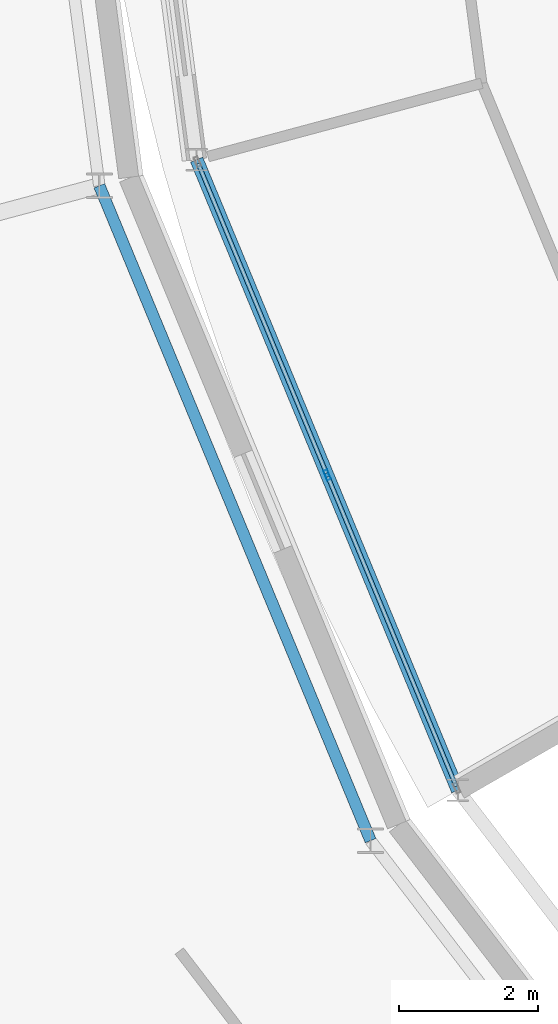
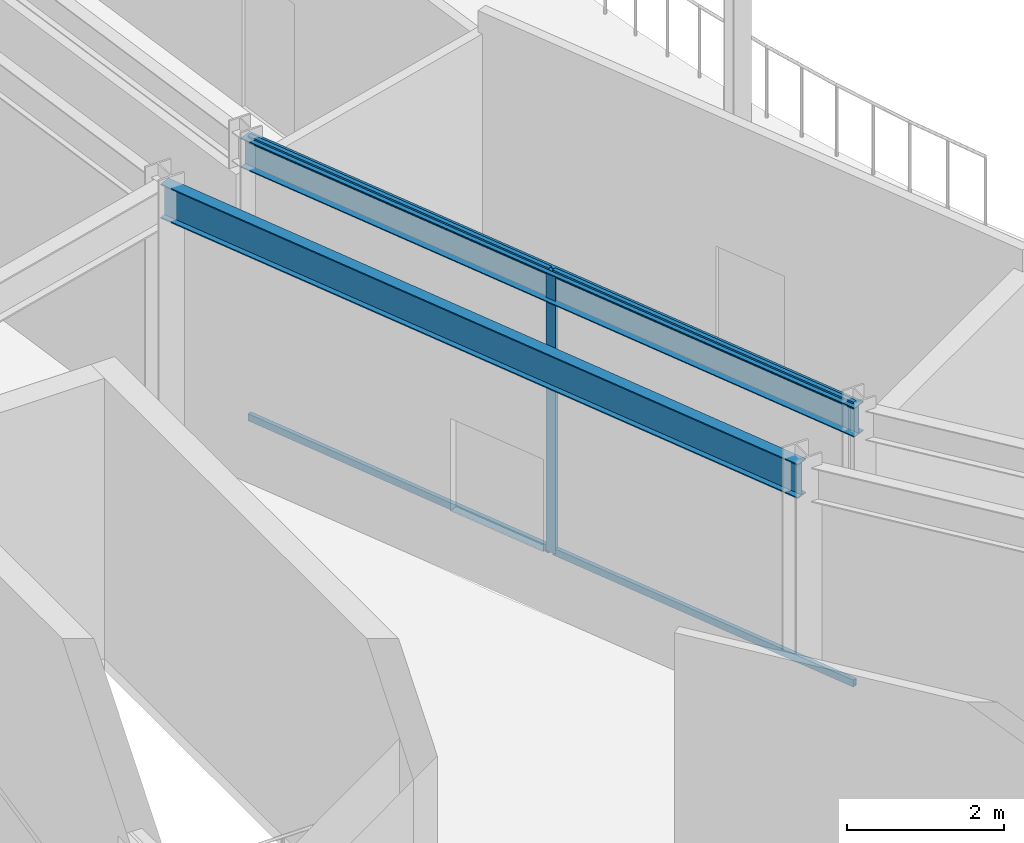
# One storey, part 34 of 157: 5 members, 2 beams, 1 element without a shape of its own.
"""IFC4 building model written with IfcOpenShell, lengths in metres."""

from ifc_helpers import new_model, si_unit, direction, frame, origin, origin_2d, place, context, subcontext, project, spatial, hollow_rectangle, i_section, extrude, material, material_profile, profile_set, type_object, element, aggregate, save


model = new_model("IFC4")

# Units and contexts
model_context = context("Model", 3, precision=1e-05, world=origin(), true_north=direction((0.0, 1.0)))
body_context = subcontext(model_context, "Body", "Model", "MODEL_VIEW")
ifc_project = project(units=[si_unit("LENGTHUNIT", "METRE"), si_unit("AREAUNIT", "SQUARE_METRE"), si_unit("VOLUMEUNIT", "CUBIC_METRE"), si_unit("PLANEANGLEUNIT", "RADIAN"), si_unit("MASSUNIT", "GRAM", prefix="KILO")], contexts=[model_context])

# Site, building, storey
site_placement = place(None, origin())
site = spatial("IfcSite", under=ifc_project, at=site_placement, CompositionType="ELEMENT")
building_placement = place(site_placement, origin())
building = spatial("IfcBuilding", under=site, at=building_placement, Name="Almandine Court Research Institute", CompositionType="ELEMENT")
storey_placement = place(building_placement, frame((0.0, 0.0, 5.25)))
storey = spatial("IfcBuildingStorey", under=building, at=storey_placement, Name="L01", CompositionType="ELEMENT", Elevation=5.25)

# Beams
ifc_material_1 = material(Name="Steel ASTM A992 Grade 50", Category="steel")
ifc_material_profile_1 = material_profile(ifc_material_1, i_section(OverallWidth=0.18994140625, OverallDepth=0.45703125, WebThickness=0.009033203125, FlangeThickness=0.014892578125, at=origin_2d()), Name="W460x74")
ifc_profile_set_1 = profile_set([ifc_material_profile_1], Name="Steel ASTM A992 Grade 50")
beam_type_1 = type_object("IfcBeamType", Name="Beam-B-01", PredefinedType="BEAM", material=ifc_profile_set_1)
beam_1_placement = place(storey_placement, frame((50.633056640625, 46.2548828125, 4.14111328125), z_axis=(0.382683080424, -0.92387967829, 0.0), x_axis=(0.92387967829, 0.382683080424, 0.0)))
element("IfcBeam", 1, at=beam_1_placement, inside=storey, type_object=beam_type_1, Name="L01 Atrium Outer Ring Beam", PredefinedType="BEAM", context=body_context, shape_type="SweptSolid", body=[
    extrude(i_section(OverallWidth=0.18994140625, OverallDepth=0.45703125, WebThickness=0.009033203125, FlangeThickness=0.014892578125, at=origin_2d()), origin(), (0.0, 0.0, 1.0), 9.827880859375),
])
ifc_material_profile_2 = material_profile(ifc_material_1, i_section(OverallWidth=0.166015625, OverallDepth=0.534912109375, WebThickness=0.010009765625, FlangeThickness=0.01708984375, at=origin_2d()), Name="W530x85")
ifc_profile_set_2 = profile_set([ifc_material_profile_2], Name="Steel ASTM A992 Grade 50")
beam_type_2 = type_object("IfcBeamType", Name="Beam-G-05-E", PredefinedType="SPANDREL", material=ifc_profile_set_2)
beam_2_placement = place(storey_placement, frame((49.23193359375, 45.8798828125, 4.10205078125), z_axis=(0.382683455912, -0.923879522758, 0.0), x_axis=(0.923879522758, 0.382683455912, 0.0)))
element("IfcBeam", 2, at=beam_2_placement, inside=storey, type_object=beam_type_2, Name="L01 Drum IN Ring Beam 13", PredefinedType="SPANDREL", context=body_context, shape_type="SweptSolid", body=[
    extrude(i_section(OverallWidth=0.166015625, OverallDepth=0.534912109375, WebThickness=0.010009765625, FlangeThickness=0.01708984375, at=origin_2d()), origin(), (0.0, 0.0, 1.0), 10.206787109375),
])

# Curtain wall, members
ifc_material_2 = material(Name="Unitised Curtain Wall Framing and Solar Glazing", Category="glass")
curtain_wall_type = type_object("IfcCurtainWallType", Name="CW-CWG-24", PredefinedType="USERDEFINED", material=ifc_material_2)
curtain_wall_placement = place(storey_placement, origin())
curtain_wall = element("IfcCurtainWall", 3, at=curtain_wall_placement, inside=storey, type_object=curtain_wall_type, Name="L01 Interaction Atrium Perimeter Curtain Wall 13", ObjectType="UNITISED GLAZING", PredefinedType="USERDEFINED")
ifc_material_3 = material(Name="Anodised Aluminium AW-6063-T6", Category="aluminium")
ifc_material_profile_3 = material_profile(ifc_material_3, hollow_rectangle(XDim=0.06005859375, YDim=0.14990234375, WallThickness=0.00390625, at=origin_2d()), Name="ALU RHS 60x150x4")
ifc_profile_set_3 = profile_set([ifc_material_profile_3], Name="Anodised Aluminium AW-6063-T6")
member_type_1 = type_object("IfcMemberType", Name="CWMul-60x150", PredefinedType="MULLION", material=ifc_profile_set_3)
member_1_placement = place(storey_placement, frame((52.512939453125, 41.715087890625, 0.0), z_axis=(0.0, 0.0, 1.0), x_axis=(-0.923900189297, -0.382633558665, 0.0)))
member_1 = element("IfcMember", 4, at=member_1_placement, type_object=member_type_1, Name="CWG-24 mullion 2", PredefinedType="MULLION", context=body_context, shape_type="SweptSolid", body=[
    extrude(hollow_rectangle(XDim=0.06005859375, YDim=0.14990234375, WallThickness=0.00390625, at=origin_2d()), origin(), (0.0, 0.0, 1.0), 4.3701171875),
])
ifc_material_profile_4 = material_profile(ifc_material_3, hollow_rectangle(XDim=0.06005859375, YDim=0.110107421875, WallThickness=0.00390625, at=origin_2d()), Name="ALU RHS 60x110x4")
ifc_profile_set_4 = profile_set([ifc_material_profile_4], Name="Anodised Aluminium AW-6063-T6")
member_type_2 = type_object("IfcMemberType", Name="CWTrn-60x110", PredefinedType="NOTDEFINED", material=ifc_profile_set_4)
member_2_placement = place(storey_placement, frame((54.369140625, 37.2333984375, 0.030029296875), z_axis=(-0.382661904477, 0.923888449361, 0.0), x_axis=(-0.923888449361, -0.382661904477, 0.0)))
member_2 = element("IfcMember", 5, at=member_2_placement, type_object=member_type_2, Name="CWG-24 transom 1.1", ObjectType="TRANSOM", PredefinedType="USERDEFINED", context=body_context, shape_type="SweptSolid", body=[
    extrude(hollow_rectangle(XDim=0.06005859375, YDim=0.110107421875, WallThickness=0.00390625, at=origin_2d()), origin(), (0.0, 0.0, 1.0), 4.82080078125),
])
member_3_placement = place(storey_placement, frame((54.369140625, 37.2333984375, 4.340087890625), z_axis=(-0.382661904477, 0.923888449361, 0.0), x_axis=(-0.923888449361, -0.382661904477, 0.0)))
member_3 = element("IfcMember", 6, at=member_3_placement, type_object=member_type_2, Name="CWG-24 transom 1.2", ObjectType="TRANSOM", PredefinedType="USERDEFINED", context=body_context, shape_type="SweptSolid", body=[
    extrude(hollow_rectangle(XDim=0.06005859375, YDim=0.110107421875, WallThickness=0.00390625, at=origin_2d()), origin(), (0.0, 0.0, 1.0), 4.82080078125),
])
member_4_placement = place(storey_placement, frame((52.50146484375, 41.74267578125, 0.030029296875), z_axis=(-0.382618675498, 0.923906353025, 0.0), x_axis=(-0.923906353025, -0.382618675498, 0.0)))
member_4 = element("IfcMember", 7, at=member_4_placement, type_object=member_type_2, Name="CWG-24 transom 2.1", ObjectType="TRANSOM", PredefinedType="USERDEFINED", context=body_context, shape_type="SweptSolid", body=[
    extrude(hollow_rectangle(XDim=0.06005859375, YDim=0.110107421875, WallThickness=0.00390625, at=origin_2d()), origin(), (0.0, 0.0, 1.0), 4.82080078125),
])
member_5_placement = place(storey_placement, frame((52.50146484375, 41.74267578125, 4.340087890625), z_axis=(-0.382618675498, 0.923906353025, 0.0), x_axis=(-0.923906353025, -0.382618675498, 0.0)))
member_5 = element("IfcMember", 8, at=member_5_placement, type_object=member_type_2, Name="CWG-24 transom 2.2", ObjectType="TRANSOM", PredefinedType="USERDEFINED", context=body_context, shape_type="SweptSolid", body=[
    extrude(hollow_rectangle(XDim=0.06005859375, YDim=0.110107421875, WallThickness=0.00390625, at=origin_2d()), origin(), (0.0, 0.0, 1.0), 4.82080078125),
])
aggregate(curtain_wall, [member_1, member_2, member_3, member_4, member_5])

save(model, "model.ifc")
